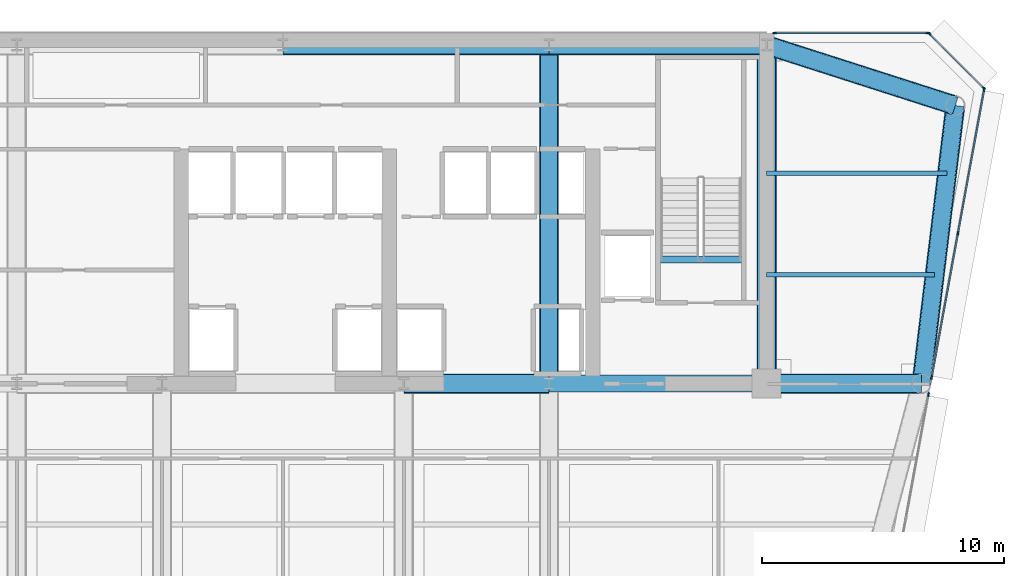
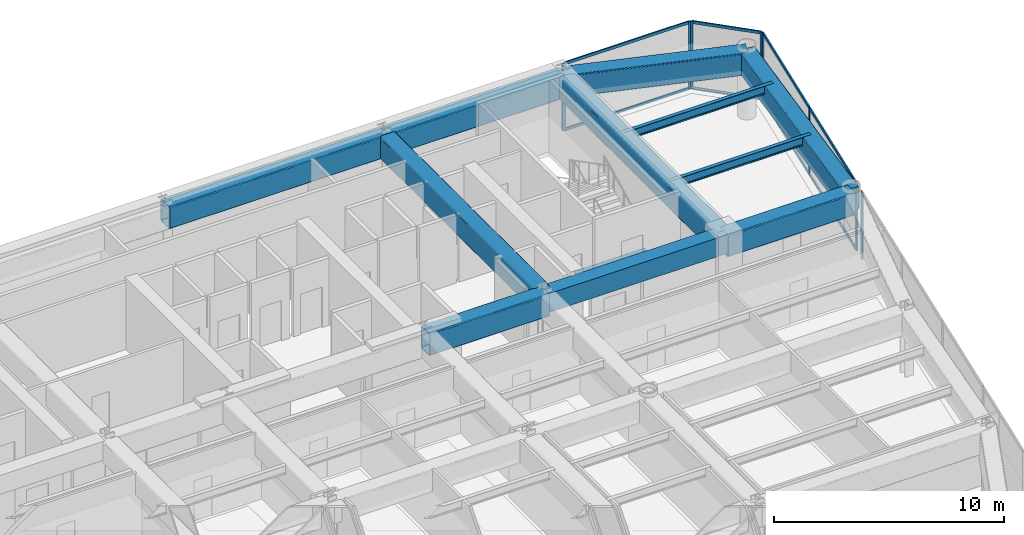
# One storey, part 9 of 17: 16 members, 12 beams, 4 elements without a shape of their own.
"""IFC4 building model written with IfcOpenShell, lengths in metres."""

from ifc_helpers import new_model, si_unit, direction, frame, origin, origin_2d, place, context, subcontext, project, spatial, rectangle, hollow_rectangle, i_section, extrude, source, transform, mapped, material, layer, layer_set, material_profile, profile_set, type_object, element, aggregate, save


model = new_model("IFC4")

# Units and contexts
model_context = context("Model", 3, precision=1e-05, world=origin(), true_north=direction((0.0, 1.0)))
body_context = subcontext(model_context, "Body", "Model", "MODEL_VIEW")
ifc_project = project(units=[si_unit("LENGTHUNIT", "METRE"), si_unit("AREAUNIT", "SQUARE_METRE"), si_unit("VOLUMEUNIT", "CUBIC_METRE"), si_unit("PLANEANGLEUNIT", "RADIAN"), si_unit("MASSUNIT", "GRAM", prefix="KILO")], contexts=[model_context])

# Site, building, storey
site_placement = place(None, origin())
site = spatial("IfcSite", under=ifc_project, at=site_placement, CompositionType="ELEMENT")
building_placement = place(site_placement, origin())
building = spatial("IfcBuilding", under=site, at=building_placement, Name="Vaeldorn Concourse Tower", CompositionType="ELEMENT")
storey_placement = place(building_placement, frame((0.0, 0.0, 176.60009765625)))
storey = spatial("IfcBuildingStorey", under=building, at=storey_placement, Name="L45", CompositionType="ELEMENT", Elevation=176.60009765625)

# Beams
ifc_material_1 = material(Name="Concrete C50/60", Category="concrete")
ifc_material_profile_1 = material_profile(ifc_material_1, rectangle(XDim=0.699951171875, YDim=1.0, at=origin_2d()), Name="RC 700x1000")
ifc_profile_set_1 = profile_set([ifc_material_profile_1], Name="Concrete C50/60")
beam_type_1 = type_object("IfcBeamType", Name="BM-CB-RC700", PredefinedType="BEAM", material=ifc_profile_set_1)
shared_shape_1 = source(origin(), body_context, "Body", "SweptSolid", [
    extrude(rectangle(XDim=0.699951171875, YDim=1.0, at=origin_2d()), origin(), (0.0, 0.0, 1.0), 9.0),
])
beam_1_placement = place(storey_placement, frame((45.0, 36.5, 3.079833984375), z_axis=(1.0, 0.0, 0.0), x_axis=(0.0, 1.0, 0.0)))
element("IfcBeam", 1, at=beam_1_placement, inside=storey, type_object=beam_type_1, Name="Core Coupling Beam L45-2", PredefinedType="BEAM", context=body_context, shape_type="MappedRepresentation", body=[
    mapped(shared_shape_1, transform((0.0, 0.0, 0.0), scale=1.0)),
])
ifc_material_2 = material(Name="Steel S355", Category="steel")
ifc_material_profile_2 = material_profile(ifc_material_2, i_section(OverallWidth=0.300048828125, OverallDepth=0.340087890625, WebThickness=0.011962890625, FlangeThickness=0.021484375, FilletRadius=0.027099609375, at=origin_2d()), Name="HEB 340")
ifc_profile_set_2 = profile_set([ifc_material_profile_2], Name="Steel S355")
beam_type_2 = type_object("IfcBeamType", Name="BM-ST-TRIM", PredefinedType="BEAM", material=ifc_profile_set_2)
shared_shape_2 = source(origin(), body_context, "Body", "SweptSolid", [
    extrude(i_section(OverallWidth=0.300048828125, OverallDepth=0.340087890625, WebThickness=0.011962890625, FlangeThickness=0.021484375, FilletRadius=0.027099609375, at=origin_2d()), origin(), (0.0, 0.0, 1.0), 3.590087890625),
])
beam_2_placement = place(storey_placement, frame((49.47998046875, 41.639892578125, -0.39013671875), z_axis=(1.0, 0.0, 0.0), x_axis=(0.0, 1.0, 0.0)))
element("IfcBeam", 2, at=beam_2_placement, inside=storey, type_object=beam_type_2, Name="Stair Landing Trimmer Beam ST-2 L45", PredefinedType="BEAM", context=body_context, shape_type="MappedRepresentation", body=[
    mapped(shared_shape_2, transform((0.0, 0.0, 0.0), scale=1.0)),
])
ifc_material_3 = material(Name="Steel S460", Category="steel")
ifc_material_profile_3 = material_profile(ifc_material_3, hollow_rectangle(XDim=0.800048828125, YDim=1.199951171875, WallThickness=0.044921875, InnerFilletRadius=0.044921875, OuterFilletRadius=0.090087890625, at=origin_2d()), Name="RHS 1200x800x45")
ifc_profile_set_3 = profile_set([ifc_material_profile_3], Name="Steel S460")
beam_type_3 = type_object("IfcBeamType", Name="BM-TG-RHS1200", PredefinedType="BEAM", material=ifc_profile_set_3)
shared_shape_3 = source(origin(), body_context, "Body", "SweptSolid", [
    extrude(hollow_rectangle(XDim=0.800048828125, YDim=1.199951171875, WallThickness=0.044921875, InnerFilletRadius=0.044921875, OuterFilletRadius=0.090087890625, at=origin_2d()), origin(), (0.0, 0.0, 1.0), 6.0),
])
beam_3_placement = place(storey_placement, frame((39.0, 36.5, 2.97998046875), z_axis=(1.0, 0.0, 0.0), x_axis=(0.0, 1.0, 0.0)))
element("IfcBeam", 3, at=beam_3_placement, inside=storey, type_object=beam_type_3, Name="Beam BM-L45-C-FC4-C-FC5", PredefinedType="BEAM", context=body_context, shape_type="MappedRepresentation", body=[
    mapped(shared_shape_3, transform((0.0, 0.0, 0.0), scale=1.0)),
])
shared_shape_4 = source(origin(), body_context, "Body", "SweptSolid", [
    extrude(hollow_rectangle(XDim=0.800048828125, YDim=1.199951171875, WallThickness=0.044921875, InnerFilletRadius=0.044921875, OuterFilletRadius=0.090087890625, at=origin_2d()), origin(), (0.0, 0.0, 1.0), 9.0),
])
beam_4_placement = place(storey_placement, frame((45.0, 50.5, 2.97998046875), z_axis=(1.0, 0.0, 0.0), x_axis=(0.0, 1.0, 0.0)))
element("IfcBeam", 4, at=beam_4_placement, inside=storey, type_object=beam_type_3, Name="Beam BM-L45-C-HC4-C-HC5", PredefinedType="BEAM", context=body_context, shape_type="MappedRepresentation", body=[
    mapped(shared_shape_4, transform((0.0, 0.0, 0.0), scale=1.0)),
])
shared_shape_5 = source(origin(), body_context, "Body", "SweptSolid", [
    extrude(hollow_rectangle(XDim=0.800048828125, YDim=1.199951171875, WallThickness=0.044921875, InnerFilletRadius=0.044921875, OuterFilletRadius=0.090087890625, at=origin_2d()), origin(), (0.0, 0.0, 1.0), 11.0),
])
beam_5_placement = place(storey_placement, frame((34.0, 50.5, 2.97998046875), z_axis=(1.0, 0.0, 0.0), x_axis=(0.0, 1.0, 0.0)))
element("IfcBeam", 5, at=beam_5_placement, inside=storey, type_object=beam_type_3, Name="Beam BM-L45-C-HC3-C-HC4", PredefinedType="BEAM", context=body_context, shape_type="MappedRepresentation", body=[
    mapped(shared_shape_5, transform((0.0, 0.0, 0.0), scale=1.0)),
])
shared_shape_6 = source(origin(), body_context, "Body", "SweptSolid", [
    extrude(hollow_rectangle(XDim=0.800048828125, YDim=1.199951171875, WallThickness=0.044921875, InnerFilletRadius=0.044921875, OuterFilletRadius=0.090087890625, at=origin_2d()), origin(), (0.0, 0.0, 1.0), 14.0),
])
for number, where, z_axis, x_axis, name in (
    (6, (45.0, 36.5, 2.97998046875), (0.0, 1.0, 0.0), (-1.0, 0.0, 0.0), "Beam BM-L45-C-FC5-C-HC4"),
    (7, (54.0, 36.5, 2.97998046875), (0.0, 1.0, 0.0), (-1.0, 0.0, 0.0), "Beam BM-L45-C-FC6-C-HC5"),
):
    element("IfcBeam", number, at=place(storey_placement, frame(where, z_axis=z_axis, x_axis=x_axis)), inside=storey, type_object=beam_type_3, Name=name, PredefinedType="BEAM", context=body_context, shape_type="MappedRepresentation", body=[
        mapped(shared_shape_6, transform((0.0, 0.0, 0.0), scale=1.0)),
    ])
shared_shape_7 = source(origin(), body_context, "Body", "SweptSolid", [
    extrude(hollow_rectangle(XDim=0.800048828125, YDim=1.199951171875, WallThickness=0.044921875, InnerFilletRadius=0.044921875, OuterFilletRadius=0.090087890625, at=origin_2d()), origin(), (0.0, 0.0, 1.0), 6.39990234375),
])
beam_6_placement = place(storey_placement, frame((54.0, 36.5, 2.97998046875), z_axis=(1.0, 0.0, 0.0), x_axis=(0.0, 1.0, 0.0)))
element("IfcBeam", 8, at=beam_6_placement, inside=storey, type_object=beam_type_3, Name="Beam BM-L45-C-FC6-C-NE2", PredefinedType="BEAM", context=body_context, shape_type="MappedRepresentation", body=[
    mapped(shared_shape_7, transform((0.0, 0.0, 0.0), scale=1.0)),
])
shared_shape_8 = source(origin(), body_context, "Body", "SweptSolid", [
    extrude(hollow_rectangle(XDim=0.800048828125, YDim=1.199951171875, WallThickness=0.044921875, InnerFilletRadius=0.044921875, OuterFilletRadius=0.090087890625, at=origin_2d()), origin(), (0.0, 0.0, 1.0), 8.19091796875),
])
beam_7_placement = place(storey_placement, frame((54.0, 50.5, 2.97998046875), z_axis=(0.952282843383, -0.305216949396, 0.0), x_axis=(0.305216949396, 0.952282843383, 0.0)))
element("IfcBeam", 9, at=beam_7_placement, inside=storey, type_object=beam_type_3, Name="Beam BM-L45-C-HC5-C-NE1", PredefinedType="BEAM", context=body_context, shape_type="MappedRepresentation", body=[
    mapped(shared_shape_8, transform((0.0, 0.0, 0.0), scale=1.0)),
])
shared_shape_9 = source(origin(), body_context, "Body", "SweptSolid", [
    extrude(hollow_rectangle(XDim=0.800048828125, YDim=1.199951171875, WallThickness=0.044921875, InnerFilletRadius=0.044921875, OuterFilletRadius=0.090087890625, at=origin_2d()), origin(), (0.0, 0.0, 1.0), 11.5849609375),
])
beam_8_placement = place(storey_placement, frame((61.800048828125, 48.0, 2.97998046875), z_axis=(-0.120859382899, -0.992669637677, 0.0), x_axis=(0.992669637677, -0.120859382899, 0.0)))
element("IfcBeam", 10, at=beam_8_placement, inside=storey, type_object=beam_type_3, Name="Beam BM-L45-C-NE1-C-NE2", PredefinedType="BEAM", context=body_context, shape_type="MappedRepresentation", body=[
    mapped(shared_shape_9, transform((0.0, 0.0, 0.0), scale=1.0)),
])
ifc_material_profile_4 = material_profile(ifc_material_2, i_section(OverallWidth=0.18994140625, OverallDepth=0.449951171875, WebThickness=0.009521484375, FlangeThickness=0.0146484375, FilletRadius=0.02099609375, at=origin_2d()), Name="IPE 450")
ifc_profile_set_4 = profile_set([ifc_material_profile_4], Name="Steel S355")
beam_type_4 = type_object("IfcBeamType", Name="BM-JS-IPE450", PredefinedType="JOIST", material=ifc_profile_set_4)
shared_shape_10 = source(origin(), body_context, "Body", "SweptSolid", [
    extrude(i_section(OverallWidth=0.18994140625, OverallDepth=0.449951171875, WebThickness=0.009521484375, FlangeThickness=0.0146484375, FilletRadius=0.02099609375, at=origin_2d()), origin(), (0.0, 0.0, 1.0), 6.94775390625),
])
beam_9_placement = place(storey_placement, frame((54.0, 41.0, 3.35498046875), z_axis=(1.0, 0.0, 0.0), x_axis=(0.0, 1.0, 0.0)))
element("IfcBeam", 11, at=beam_9_placement, inside=storey, type_object=beam_type_4, Name="Beam JS-L45-NE-410", PredefinedType="JOIST", context=body_context, shape_type="MappedRepresentation", body=[
    mapped(shared_shape_10, transform((0.0, 0.0, 0.0), scale=1.0)),
])
shared_shape_11 = source(origin(), body_context, "Body", "SweptSolid", [
    extrude(i_section(OverallWidth=0.18994140625, OverallDepth=0.449951171875, WebThickness=0.009521484375, FlangeThickness=0.0146484375, FilletRadius=0.02099609375, at=origin_2d()), origin(), (0.0, 0.0, 1.0), 7.458984375),
])
beam_10_placement = place(storey_placement, frame((54.0, 45.199951171875, 3.35498046875), z_axis=(1.0, 0.0, 0.0), x_axis=(0.0, 1.0, 0.0)))
element("IfcBeam", 12, at=beam_10_placement, inside=storey, type_object=beam_type_4, Name="Beam JS-L45-NE-452", PredefinedType="JOIST", context=body_context, shape_type="MappedRepresentation", body=[
    mapped(shared_shape_11, transform((0.0, 0.0, 0.0), scale=1.0)),
])

# Curtain wall, member
ifc_material_4 = material(Name="Anodised Bronze Aluminium", Category="aluminium")
ifc_layer = layer(ifc_material_4, 0.18994140625)
ifc_layer_set = layer_set([ifc_layer], Name="Anodised Bronze Aluminium")
curtain_wall_type = type_object("IfcCurtainWallType", Name="CW-SYS-03", PredefinedType="NOTDEFINED", material=ifc_layer_set)
curtain_wall_1_placement = place(storey_placement, origin())
curtain_wall_1 = element("IfcCurtainWall", 13, at=curtain_wall_1_placement, inside=storey, type_object=curtain_wall_type, Name="Unitised Curtain Wall CW-L45-E07-1", PredefinedType="NOTDEFINED")
ifc_material_profile_5 = material_profile(ifc_material_4, rectangle(XDim=0.06494140625, YDim=0.169921875, at=origin_2d()), Name="CWM 65x170")
ifc_profile_set_5 = profile_set([ifc_material_profile_5], Name="Anodised Bronze Aluminium")
member_type_1 = type_object("IfcMemberType", Name="CWM-BRONZE-170", PredefinedType="MULLION", material=ifc_profile_set_5)
shared_shape_12 = source(origin(), body_context, "Body", "SweptSolid", [
    extrude(rectangle(XDim=0.06494140625, YDim=0.169921875, at=origin_2d()), origin(), (0.0, 0.0, 1.0), 3.579833984375),
])
member_1_placement = place(storey_placement, frame((60.69287109375, 36.051513671875, 0.0), z_axis=(0.0, 0.0, 1.0), x_axis=(-0.983767841325, 0.179445909331, 0.0)))
member_1 = element("IfcMember", 14, at=member_1_placement, type_object=member_type_1, Name="CW-03 mullion 7", PredefinedType="MULLION", context=body_context, shape_type="MappedRepresentation", body=[
    mapped(shared_shape_12, transform((0.0, 0.0, 0.0), scale=1.0)),
])
aggregate(curtain_wall_1, [member_1])

# Curtain wall, members
curtain_wall_2_placement = place(storey_placement, origin())
curtain_wall_2 = element("IfcCurtainWall", 15, at=curtain_wall_2_placement, inside=storey, type_object=curtain_wall_type, Name="Unitised Curtain Wall CW-L45-E07-2", PredefinedType="NOTDEFINED")
member_2_placement = place(storey_placement, frame((60.822265625, 36.761474609375, 0.0), z_axis=(0.0, 0.0, 1.0), x_axis=(-0.983767579285, 0.179447345892, 0.0)))
member_2 = element("IfcMember", 16, at=member_2_placement, type_object=member_type_1, Name="CW-03 mullion 1", PredefinedType="MULLION", context=body_context, shape_type="MappedRepresentation", body=[
    mapped(shared_shape_12, transform((0.0, 0.0, 0.0), scale=1.0)),
])
member_3_placement = place(storey_placement, frame((61.908203125, 42.71484375, 0.0), z_axis=(0.0, 0.0, 1.0), x_axis=(-0.983767579285, 0.179447345892, 0.0)))
member_3 = element("IfcMember", 17, at=member_3_placement, type_object=member_type_1, Name="CW-03 mullion 2", PredefinedType="MULLION", context=body_context, shape_type="MappedRepresentation", body=[
    mapped(shared_shape_12, transform((0.0, 0.0, 0.0), scale=1.0)),
])
member_4_placement = place(storey_placement, frame((62.994140625, 48.66796875, 0.0), z_axis=(0.0, 0.0, 1.0), x_axis=(-0.983767579285, 0.179447345892, 0.0)))
member_4 = element("IfcMember", 18, at=member_4_placement, type_object=member_type_1, Name="CW-03 mullion 3", PredefinedType="MULLION", context=body_context, shape_type="MappedRepresentation", body=[
    mapped(shared_shape_12, transform((0.0, 0.0, 0.0), scale=1.0)),
])

curtain_wall_3_placement = place(storey_placement, origin())
curtain_wall_3 = element("IfcCurtainWall", 19, at=curtain_wall_3_placement, inside=storey, type_object=curtain_wall_type, Name="Unitised Curtain Wall CW-L45-E08-1", PredefinedType="NOTDEFINED")
member_5_placement = place(storey_placement, frame((62.97705078125, 48.722900390625, 0.0), z_axis=(0.0, 0.0, 1.0), x_axis=(-0.707106781187, -0.707106781187, 0.0)))
member_5 = element("IfcMember", 20, at=member_5_placement, type_object=member_type_1, Name="CW-03 mullion 1", PredefinedType="MULLION", context=body_context, shape_type="MappedRepresentation", body=[
    mapped(shared_shape_12, transform((0.0, 0.0, 0.0), scale=1.0)),
])
member_6_placement = place(storey_placement, frame((60.722900390625, 50.97705078125, 0.0), z_axis=(0.0, 0.0, 1.0), x_axis=(-0.707106781187, -0.707106781187, 0.0)))
member_6 = element("IfcMember", 21, at=member_6_placement, type_object=member_type_1, Name="CW-03 mullion 2", PredefinedType="MULLION", context=body_context, shape_type="MappedRepresentation", body=[
    mapped(shared_shape_12, transform((0.0, 0.0, 0.0), scale=1.0)),
])

curtain_wall_4_placement = place(storey_placement, origin())
curtain_wall_4 = element("IfcCurtainWall", 22, at=curtain_wall_4_placement, inside=storey, type_object=curtain_wall_type, Name="Unitised Curtain Wall CW-L45-E09-1", PredefinedType="NOTDEFINED")
member_7_placement = place(storey_placement, frame((60.66748046875, 51.0, 0.0), z_axis=(0.0, 0.0, 1.0), x_axis=(0.0, -1.0, 0.0)))
member_7 = element("IfcMember", 23, at=member_7_placement, type_object=member_type_1, Name="CW-03 mullion 1", PredefinedType="MULLION", context=body_context, shape_type="MappedRepresentation", body=[
    mapped(shared_shape_12, transform((0.0, 0.0, 0.0), scale=1.0)),
])
member_8_placement = place(storey_placement, frame((54.327392578125, 51.0, 0.0), z_axis=(0.0, 0.0, 1.0), x_axis=(0.0, -1.0, 0.0)))
member_8 = element("IfcMember", 24, at=member_8_placement, type_object=member_type_1, Name="CW-03 mullion 2", PredefinedType="MULLION", context=body_context, shape_type="MappedRepresentation", body=[
    mapped(shared_shape_12, transform((0.0, 0.0, 0.0), scale=1.0)),
])

# Member
ifc_material_profile_6 = material_profile(ifc_material_4, rectangle(XDim=0.06494140625, YDim=0.14990234375, at=origin_2d()), Name="CWT 65x150")
ifc_profile_set_6 = profile_set([ifc_material_profile_6], Name="Anodised Bronze Aluminium")
member_type_2 = type_object("IfcMemberType", Name="CWT-BRONZE-150", PredefinedType="USERDEFINED", material=ifc_profile_set_6)
shared_shape_13 = source(origin(), body_context, "Body", "SweptSolid", [
    extrude(rectangle(XDim=0.06494140625, YDim=0.14990234375, at=origin_2d()), origin(), (0.0, 0.0, 1.0), 3.123046875),
])
member_9_placement = place(storey_placement, frame((62.9541015625, 48.745849609375, 0.032470703125), z_axis=(-0.707106781187, 0.707106781187, 0.0), x_axis=(-0.707106781187, -0.707106781187, 0.0)))
member_9 = element("IfcMember", 25, at=member_9_placement, type_object=member_type_2, Name="CW-03 transom 1.1", ObjectType="TRANSOM", PredefinedType="USERDEFINED", context=body_context, shape_type="MappedRepresentation", body=[
    mapped(shared_shape_13, transform((0.0, 0.0, 0.0), scale=1.0)),
])

member_10_placement = place(storey_placement, frame((62.9541015625, 48.745849609375, 3.54736328125), z_axis=(-0.707106781187, 0.707106781187, 0.0), x_axis=(-0.707106781187, -0.707106781187, 0.0)))
member_10 = element("IfcMember", 26, at=member_10_placement, type_object=member_type_2, Name="CW-03 transom 1.2", ObjectType="TRANSOM", PredefinedType="USERDEFINED", context=body_context, shape_type="MappedRepresentation", body=[
    mapped(shared_shape_13, transform((0.0, 0.0, 0.0), scale=1.0)),
])

aggregate(curtain_wall_3, [member_5, member_6, member_9, member_10])

shared_shape_14 = source(origin(), body_context, "Body", "SweptSolid", [
    extrude(rectangle(XDim=0.06494140625, YDim=0.14990234375, at=origin_2d()), origin(), (0.0, 0.0, 1.0), 5.986572265625),
])
member_11_placement = place(storey_placement, frame((60.828125, 36.79345703125, 0.032470703125), z_axis=(0.179438079261, 0.98376926955, 0.0), x_axis=(-0.98376926955, 0.179438079261, 0.0)))
member_11 = element("IfcMember", 27, at=member_11_placement, type_object=member_type_2, Name="CW-03 transom 1.1", ObjectType="TRANSOM", PredefinedType="USERDEFINED", context=body_context, shape_type="MappedRepresentation", body=[
    mapped(shared_shape_14, transform((0.0, 0.0, 0.0), scale=1.0)),
])

member_12_placement = place(storey_placement, frame((60.828125, 36.79345703125, 3.54736328125), z_axis=(0.179438079261, 0.98376926955, 0.0), x_axis=(-0.98376926955, 0.179438079261, 0.0)))
member_12 = element("IfcMember", 28, at=member_12_placement, type_object=member_type_2, Name="CW-03 transom 1.2", ObjectType="TRANSOM", PredefinedType="USERDEFINED", context=body_context, shape_type="MappedRepresentation", body=[
    mapped(shared_shape_14, transform((0.0, 0.0, 0.0), scale=1.0)),
])

shared_shape_15 = source(origin(), body_context, "Body", "SweptSolid", [
    extrude(rectangle(XDim=0.06494140625, YDim=0.14990234375, at=origin_2d()), origin(), (0.0, 0.0, 1.0), 5.986328125),
])
member_13_placement = place(storey_placement, frame((61.9140625, 42.746826171875, 0.032470703125), z_axis=(0.179445278506, 0.983767956391, 0.0), x_axis=(-0.983767956391, 0.179445278506, 0.0)))
member_13 = element("IfcMember", 29, at=member_13_placement, type_object=member_type_2, Name="CW-03 transom 2.1", ObjectType="TRANSOM", PredefinedType="USERDEFINED", context=body_context, shape_type="MappedRepresentation", body=[
    mapped(shared_shape_15, transform((0.0, 0.0, 0.0), scale=1.0)),
])

member_14_placement = place(storey_placement, frame((61.9140625, 42.746826171875, 3.54736328125), z_axis=(0.179445278506, 0.983767956391, 0.0), x_axis=(-0.983767956391, 0.179445278506, 0.0)))
member_14 = element("IfcMember", 30, at=member_14_placement, type_object=member_type_2, Name="CW-03 transom 2.2", ObjectType="TRANSOM", PredefinedType="USERDEFINED", context=body_context, shape_type="MappedRepresentation", body=[
    mapped(shared_shape_15, transform((0.0, 0.0, 0.0), scale=1.0)),
])

aggregate(curtain_wall_2, [member_2, member_3, member_4, member_11, member_12, member_13, member_14])

shared_shape_16 = source(origin(), body_context, "Body", "SweptSolid", [
    extrude(rectangle(XDim=0.06494140625, YDim=0.14990234375, at=origin_2d()), origin(), (0.0, 0.0, 1.0), 6.27490234375),
])
member_15_placement = place(storey_placement, frame((60.635009765625, 51.0, 0.032470703125), z_axis=(-1.0, 0.0, 0.0), x_axis=(0.0, -1.0, 0.0)))
member_15 = element("IfcMember", 31, at=member_15_placement, type_object=member_type_2, Name="CW-03 transom 1.1", ObjectType="TRANSOM", PredefinedType="USERDEFINED", context=body_context, shape_type="MappedRepresentation", body=[
    mapped(shared_shape_16, transform((0.0, 0.0, 0.0), scale=1.0)),
])

member_16_placement = place(storey_placement, frame((60.635009765625, 51.0, 3.54736328125), z_axis=(-1.0, 0.0, 0.0), x_axis=(0.0, -1.0, 0.0)))
member_16 = element("IfcMember", 32, at=member_16_placement, type_object=member_type_2, Name="CW-03 transom 1.2", ObjectType="TRANSOM", PredefinedType="USERDEFINED", context=body_context, shape_type="MappedRepresentation", body=[
    mapped(shared_shape_16, transform((0.0, 0.0, 0.0), scale=1.0)),
])

aggregate(curtain_wall_4, [member_7, member_8, member_15, member_16])

save(model, "model.ifc")
